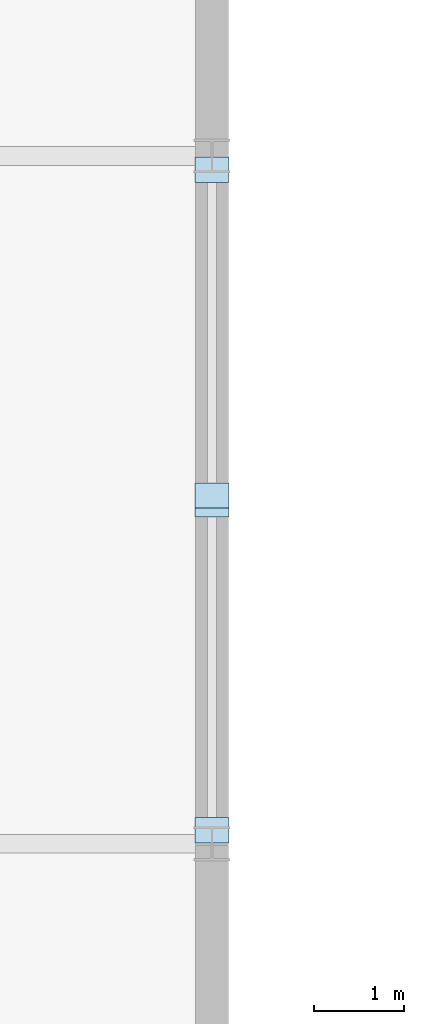
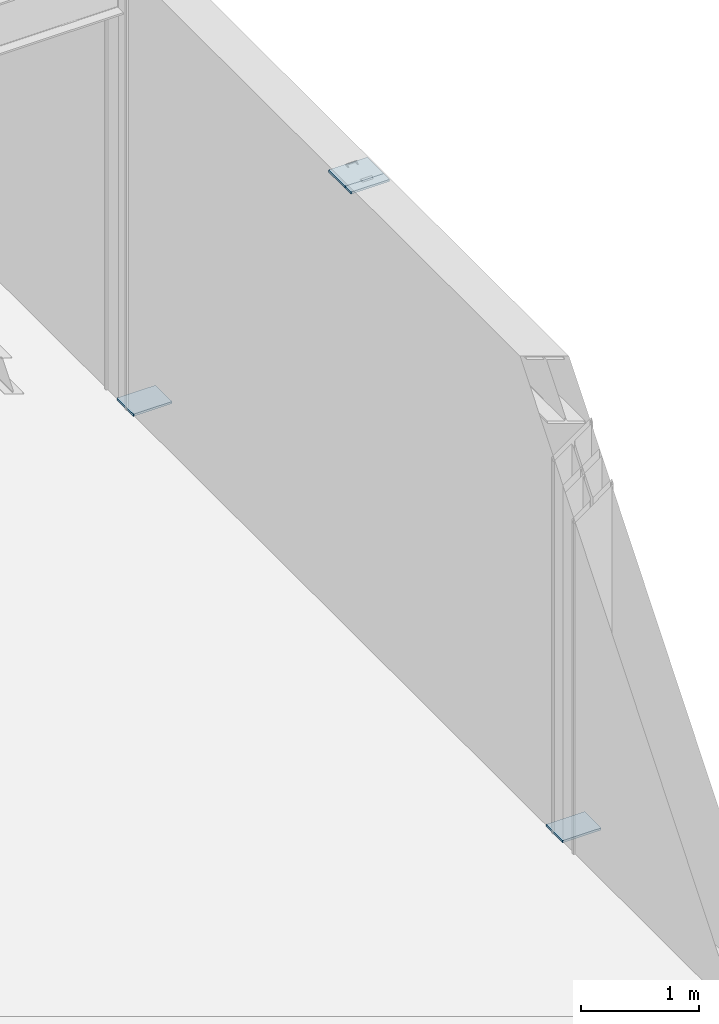
# One storey, part 78 of 100: 4 plates.
"""IFC4 building model written with IfcOpenShell, lengths in metres."""

from ifc_helpers import new_model, si_unit, direction, frame, origin, origin_2d, place, context, subcontext, project, spatial, rectangle, extrude, material, layer, layer_set, type_object, element, save


model = new_model("IFC4")

# Units and contexts
model_context = context("Model", 3, precision=1e-05, world=origin(), true_north=direction((0.0, 1.0)))
body_context = subcontext(model_context, "Body", "Model", "MODEL_VIEW")
ifc_project = project(units=[si_unit("LENGTHUNIT", "METRE"), si_unit("AREAUNIT", "SQUARE_METRE"), si_unit("VOLUMEUNIT", "CUBIC_METRE"), si_unit("PLANEANGLEUNIT", "RADIAN"), si_unit("MASSUNIT", "GRAM", prefix="KILO")], contexts=[model_context])

# Site, building, storey
site_placement = place(None, origin())
site = spatial("IfcSite", under=ifc_project, at=site_placement, CompositionType="ELEMENT")
building_placement = place(site_placement, origin())
building = spatial("IfcBuilding", under=site, at=building_placement, Name="Zulena Civic Courthouse", CompositionType="ELEMENT")
storey_placement = place(building_placement, frame((0.0, 0.0, 20.39990234375)))
storey = spatial("IfcBuildingStorey", under=building, at=storey_placement, Name="L04", CompositionType="ELEMENT", Elevation=20.39990234375)

# Plates
ifc_material = material(Name="Steel ASTM A572 Grade 50", Category="steel")
ifc_layer = layer(ifc_material, 0.02197265625)
ifc_layer_set = layer_set([ifc_layer], Name="Steel ASTM A572 Grade 50")
plate_type = type_object("IfcPlateType", Name="GussetPlate_380x280x22", PredefinedType="SHEET", material=ifc_layer_set)
for number, where, z_axis, x_axis, name in (
    (1, (108.0, 76.14990234375, -0.0009765625), (0.0, 0.0, 1.0), (1.0, 0.0, 0.0), "plate:br:V5:L04:6:0:0"),
    (2, (108.0, 79.75, 4.549072265625), (0.0, 0.0, 1.0), (1.0, 0.0, 0.0), "plate:br:V5:L04:6:0:1"),
    (3, (108.0, 83.449951171875, -0.0009765625), (0.0, 0.0, 1.0), (1.0, 0.0, 0.0), "plate:br:V5:L04:6:1:0"),
    (4, (108.0, 79.85009765625, 4.549072265625), (0.0, 0.0, 1.0), (1.0, 0.0, 0.0), "plate:br:V5:L04:6:1:1"),
):
    element("IfcPlate", number, at=place(storey_placement, frame(where, z_axis=z_axis, x_axis=x_axis)), inside=storey, type_object=plate_type, Name=name, PredefinedType="SHEET", context=body_context, shape_type="SweptSolid", body=[
        extrude(rectangle(XDim=0.3798828125, YDim=0.280029296875, at=origin_2d()), origin(), (0.0, 0.0, 1.0), 0.02197265625),
    ])

save(model, "model.ifc")
